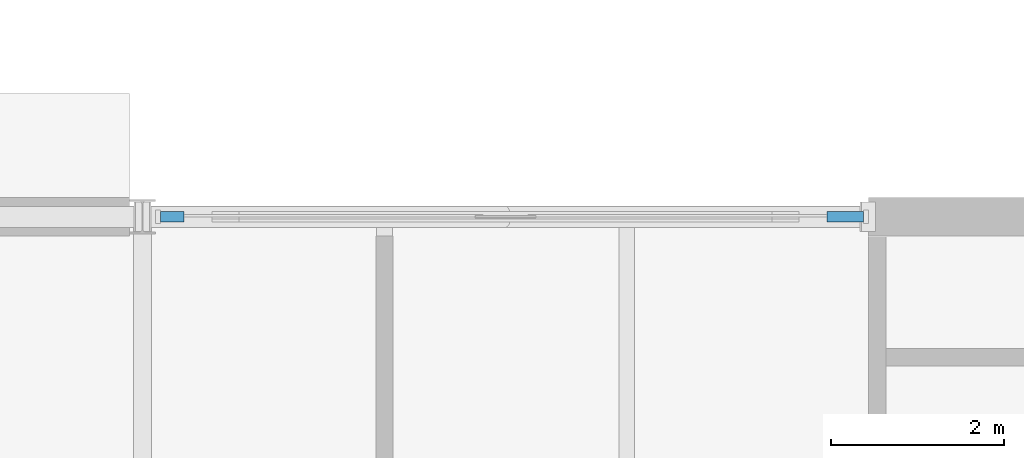
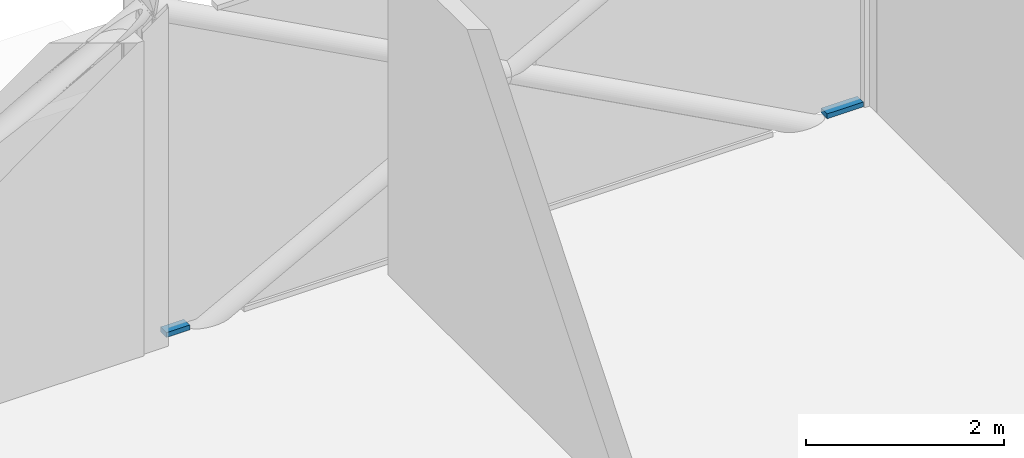
# One storey, part 10 of 22: 2 members, 1 element without a shape of its own.
"""IFC4 building model written with IfcOpenShell, lengths in metres."""

from ifc_helpers import new_model, si_unit, direction, frame, origin, origin_2d, place, context, subcontext, project, spatial, rectangle, extrude, material, layer, layer_set, material_profile, profile_set, type_object, element, aggregate, save


model = new_model("IFC4")

# Units and contexts
model_context = context("Model", 3, precision=1e-05, world=origin(), true_north=direction((0.0, 1.0)))
body_context = subcontext(model_context, "Body", "Model", "MODEL_VIEW")
ifc_project = project(units=[si_unit("LENGTHUNIT", "METRE"), si_unit("AREAUNIT", "SQUARE_METRE"), si_unit("VOLUMEUNIT", "CUBIC_METRE"), si_unit("PLANEANGLEUNIT", "RADIAN"), si_unit("MASSUNIT", "GRAM", prefix="KILO")], contexts=[model_context])

# Site, building, storey
site_placement = place(None, origin())
site = spatial("IfcSite", under=ifc_project, at=site_placement, CompositionType="ELEMENT")
building_placement = place(site_placement, origin())
building = spatial("IfcBuilding", under=site, at=building_placement, Name="Ardhachandra Cancer Care Centre", CompositionType="ELEMENT")
storey_placement = place(building_placement, frame((0.0, 0.0, 18.0)))
storey = spatial("IfcBuildingStorey", under=building, at=storey_placement, Name="L04", CompositionType="ELEMENT", Elevation=18.0)

# Curtain wall, members
ifc_material_1 = material(Name="Aluminium extrusion", Category="aluminium")
ifc_layer = layer(ifc_material_1, 0.14990234375)
ifc_layer_set = layer_set([ifc_layer], Name="Aluminium extrusion")
curtain_wall_type = type_object("IfcCurtainWallType", Name="Curtain wall run", PredefinedType="NOTDEFINED", material=ifc_layer_set)
curtain_wall_placement = place(storey_placement, origin())
curtain_wall = element("IfcCurtainWall", 1, at=curtain_wall_placement, inside=storey, type_object=curtain_wall_type, Name="Curtain wall L04 n/0027600_0096600", PredefinedType="NOTDEFINED")
ifc_material_2 = material(Name="Aluminium extrusion", Category="aluminium")
ifc_material_profile = material_profile(ifc_material_2, rectangle(XDim=0.1201171875, YDim=0.06005859375, at=origin_2d()), Name="Curtain wall transom 60 x 120")
ifc_profile_set = profile_set([ifc_material_profile], Name="Aluminium extrusion")
member_type = type_object("IfcMemberType", Name="Curtain wall transom 60 x 120", PredefinedType="USERDEFINED", material=ifc_profile_set)
member_1_placement = place(storey_placement, frame((27.81005859375, 96.60009765625, 0.030029296875), z_axis=(1.0, 0.0, 0.0), x_axis=(0.0, 1.0, 0.0)))
member_1 = element("IfcMember", 2, at=member_1_placement, type_object=member_type, Name="CW transom 1.1", ObjectType="TRANSOM", PredefinedType="USERDEFINED", context=body_context, shape_type="SweptSolid", body=[
    extrude(rectangle(XDim=0.1201171875, YDim=0.06005859375, at=origin_2d()), origin(), (0.0, 0.0, 1.0), 0.27294921875),
])
member_2_placement = place(storey_placement, frame((35.516845703125, 96.60009765625, 0.030029296875), z_axis=(1.0, 0.0, 0.0), x_axis=(0.0, 1.0, 0.0)))
member_2 = element("IfcMember", 3, at=member_2_placement, type_object=member_type, Name="CW transom 1.1", ObjectType="TRANSOM", PredefinedType="USERDEFINED", context=body_context, shape_type="SweptSolid", body=[
    extrude(rectangle(XDim=0.1201171875, YDim=0.06005859375, at=origin_2d()), origin(), (0.0, 0.0, 1.0), 0.423095703125),
])
aggregate(curtain_wall, [member_1, member_2])

save(model, "model.ifc")
